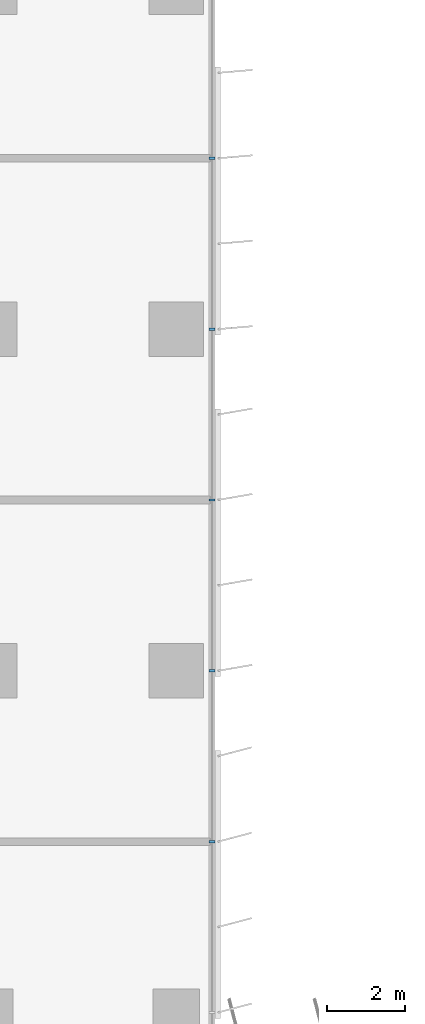
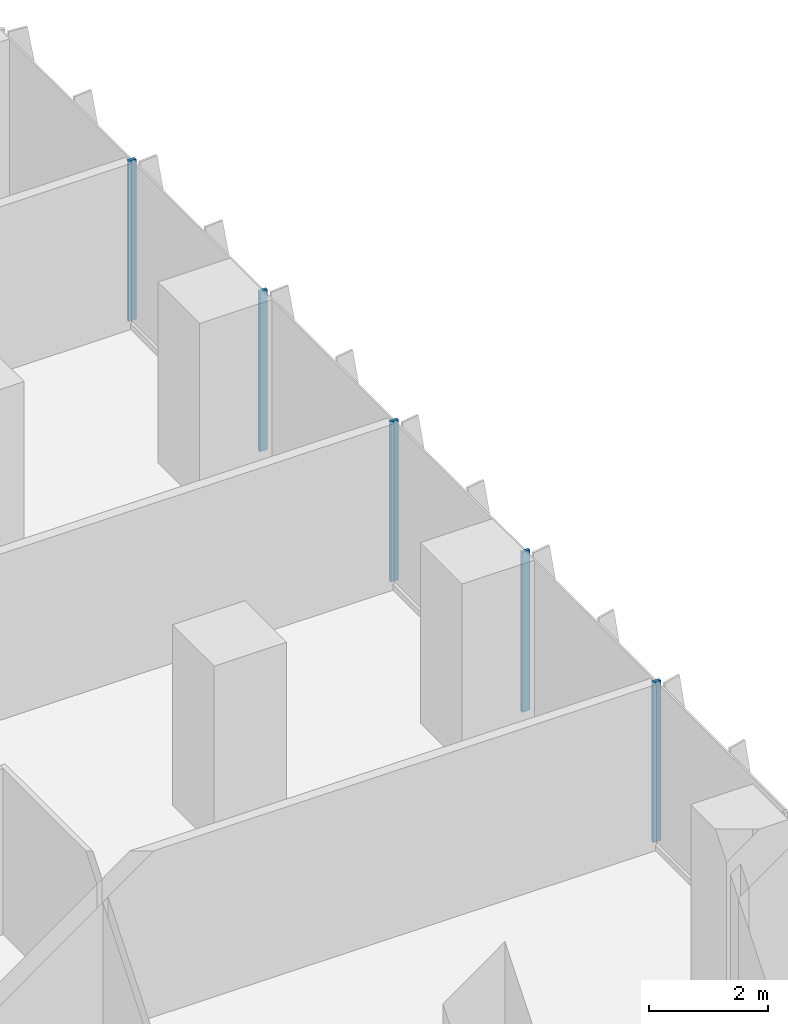
# One storey, part 5 of 24: 5 members, 1 element without a shape of its own.
"""IFC4 building model written with IfcOpenShell, lengths in metres."""

from ifc_helpers import new_model, si_unit, direction, frame, origin, origin_2d, place, context, subcontext, project, spatial, rectangle, extrude, source, transform, mapped, material, material_profile, profile_set, type_object, element, aggregate, save


model = new_model("IFC4")

# Units and contexts
model_context = context("Model", 3, precision=1e-05, world=origin(), true_north=direction((0.0, 1.0)))
body_context = subcontext(model_context, "Body", "Model", "MODEL_VIEW")
ifc_project = project(units=[si_unit("LENGTHUNIT", "METRE"), si_unit("AREAUNIT", "SQUARE_METRE"), si_unit("VOLUMEUNIT", "CUBIC_METRE"), si_unit("PLANEANGLEUNIT", "RADIAN"), si_unit("MASSUNIT", "GRAM", prefix="KILO")], contexts=[model_context])

# Site, building, storey
site_placement = place(None, origin())
site = spatial("IfcSite", under=ifc_project, at=site_placement, CompositionType="ELEMENT")
building_placement = place(site_placement, origin())
building = spatial("IfcBuilding", under=site, at=building_placement, Name="Kemantara Hotel Tower", CompositionType="ELEMENT")
storey_placement = place(building_placement, frame((0.0, 0.0, 48.800048828125)))
storey = spatial("IfcBuildingStorey", under=building, at=storey_placement, Name="L10", CompositionType="ELEMENT", Elevation=48.800048828125)

# Curtain wall, members
ifc_material_1 = material(Name="Low-E tinted double insulated glass 36 mm", Category="glass")
curtain_wall_type = type_object("IfcCurtainWallType", Name="TOWER CURTAIN WALL, FRONT FACES", PredefinedType="USERDEFINED", material=ifc_material_1)
curtain_wall_placement = place(storey_placement, origin())
curtain_wall = element("IfcCurtainWall", 1, at=curtain_wall_placement, inside=storey, type_object=curtain_wall_type, Name="CW4 L10 T1-R08-1", ObjectType="TOWER CURTAIN WALL, FRONT FACES", PredefinedType="USERDEFINED")
ifc_material_2 = material(Name="Aluminium 6063-T6 bronze anodised", Category="aluminium")
ifc_material_profile = material_profile(ifc_material_2, rectangle(XDim=0.14990234375, YDim=0.06005859375, at=origin_2d()), Name="TOWER CURTAIN WALL, FRONT FACES MULLION")
ifc_profile_set = profile_set([ifc_material_profile], Name="Aluminium 6063-T6 bronze anodised")
member_type = type_object("IfcMemberType", Name="TOWER CURTAIN WALL, FRONT FACES MULLION", PredefinedType="MULLION", material=ifc_profile_set)
shared_shape = source(origin(), body_context, "Body", "SweptSolid", [
    extrude(rectangle(XDim=0.14990234375, YDim=0.06005859375, at=origin_2d()), origin(), (0.0, 0.0, 1.0), 3.280029296875),
])
member_1_placement = place(storey_placement, frame((26.72509765625, 31.800048828125, 0.119873046875), z_axis=(0.0, 0.0, 1.0), x_axis=(-1.0, 0.0, 0.0)))
member_1 = element("IfcMember", 2, at=member_1_placement, type_object=member_type, Name="CW4 mullion T1-R08-1.3", PredefinedType="MULLION", context=body_context, shape_type="MappedRepresentation", body=[
    mapped(shared_shape, transform((0.0, 0.0, 0.0))),
])
member_2_placement = place(storey_placement, frame((26.72509765625, 36.199951171875, 0.119873046875), z_axis=(0.0, 0.0, 1.0), x_axis=(-1.0, 0.0, 0.0)))
member_2 = element("IfcMember", 3, at=member_2_placement, type_object=member_type, Name="CW4 mullion T1-R08-1.4", PredefinedType="MULLION", context=body_context, shape_type="MappedRepresentation", body=[
    mapped(shared_shape, transform((0.0, 0.0, 0.0))),
])
member_3_placement = place(storey_placement, frame((26.72509765625, 40.60009765625, 0.119873046875), z_axis=(0.0, 0.0, 1.0), x_axis=(-1.0, 0.0, 0.0)))
member_3 = element("IfcMember", 4, at=member_3_placement, type_object=member_type, Name="CW4 mullion T1-R08-1.5", PredefinedType="MULLION", context=body_context, shape_type="MappedRepresentation", body=[
    mapped(shared_shape, transform((0.0, 0.0, 0.0))),
])
member_4_placement = place(storey_placement, frame((26.72509765625, 45.0, 0.119873046875), z_axis=(0.0, 0.0, 1.0), x_axis=(-1.0, 0.0, 0.0)))
member_4 = element("IfcMember", 5, at=member_4_placement, type_object=member_type, Name="CW4 mullion T1-R08-1.6", PredefinedType="MULLION", context=body_context, shape_type="MappedRepresentation", body=[
    mapped(shared_shape, transform((0.0, 0.0, 0.0))),
])
member_5_placement = place(storey_placement, frame((26.72509765625, 49.39990234375, 0.119873046875), z_axis=(0.0, 0.0, 1.0), x_axis=(-1.0, 0.0, 0.0)))
member_5 = element("IfcMember", 6, at=member_5_placement, type_object=member_type, Name="CW4 mullion T1-R08-1.7", PredefinedType="MULLION", context=body_context, shape_type="MappedRepresentation", body=[
    mapped(shared_shape, transform((0.0, 0.0, 0.0))),
])
aggregate(curtain_wall, [member_1, member_2, member_3, member_4, member_5])

save(model, "model.ifc")
